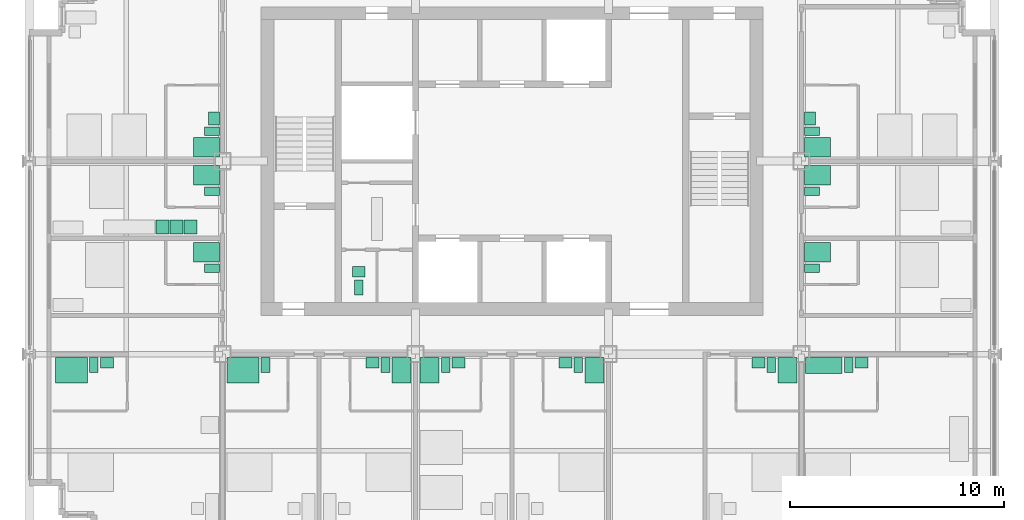
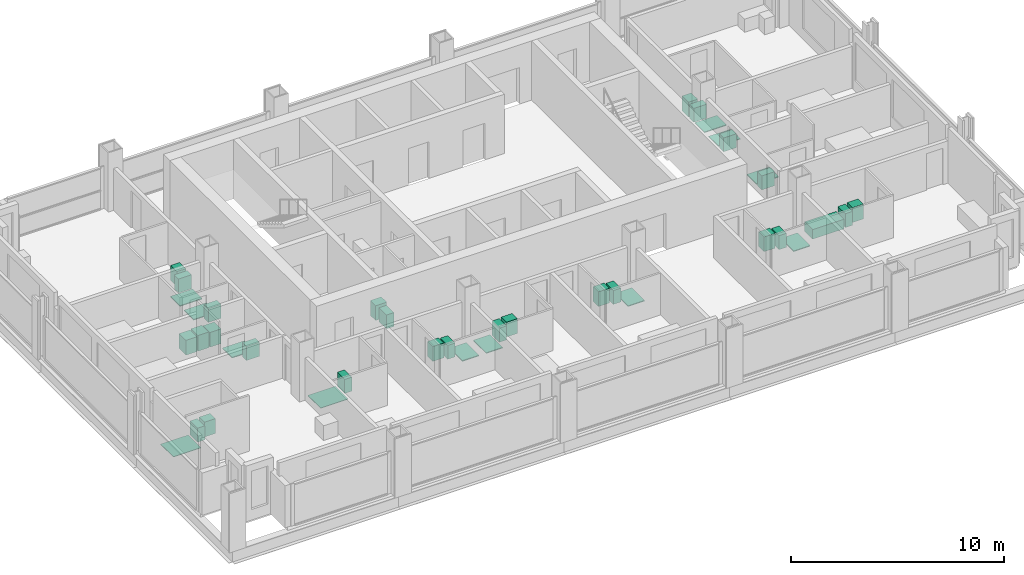
# One storey, part 13 of 14: 36 sanitary terminals, 3 electric appliances.
"""IFC4 building model written with IfcOpenShell, lengths in metres."""

from ifc_helpers import new_model, si_unit, direction, frame, origin, origin_2d, place, context, subcontext, project, spatial, rectangle, extrude, element, save


model = new_model("IFC4")

# Units and contexts
model_context = context("Model", 3, precision=1e-05, world=origin(), true_north=direction((0.0, 1.0)))
body_context = subcontext(model_context, "Body", "Model", "MODEL_VIEW")
ifc_project = project(units=[si_unit("LENGTHUNIT", "METRE"), si_unit("AREAUNIT", "SQUARE_METRE"), si_unit("VOLUMEUNIT", "CUBIC_METRE"), si_unit("PLANEANGLEUNIT", "RADIAN"), si_unit("MASSUNIT", "GRAM", prefix="KILO")], contexts=[model_context])

# Site, building, storey
site_placement = place(None, origin())
site = spatial("IfcSite", under=ifc_project, at=site_placement, CompositionType="ELEMENT")
building_placement = place(site_placement, origin())
building = spatial("IfcBuilding", under=site, at=building_placement, Name="Loomwork Tower", CompositionType="ELEMENT")
storey_placement = place(building_placement, frame((0.0, 0.0, 167.199951171875)))
storey = spatial("IfcBuildingStorey", under=building, at=storey_placement, Name="L45", CompositionType="ELEMENT", Elevation=167.199951171875)

# Sanitary terminals
sanitary_terminal_1_placement = place(storey_placement, frame((1.949951171875, 8.25, 0.0), z_axis=(0.0, 0.0, 1.0), x_axis=(1.0, 0.0, 0.0)))
element("IfcSanitaryTerminal", 1, at=sanitary_terminal_1_placement, inside=storey, Name="Roll-in shower floor L45", PredefinedType="SHOWER", context=body_context, shape_type="SweptSolid", body=[
    extrude(rectangle(XDim=1.5, YDim=1.199951171875, at=origin_2d()), origin(), (0.0, 0.0, 1.0), 0.030029296875),
])
sanitary_terminal_2_placement = place(storey_placement, frame((3.0, 8.5, 0.0), z_axis=(0.0, 0.0, 1.0), x_axis=(1.0, 0.0, 0.0)))
element("IfcSanitaryTerminal", 2, at=sanitary_terminal_2_placement, inside=storey, Name="WC L45", PredefinedType="TOILETPAN", context=body_context, shape_type="SweptSolid", body=[
    extrude(rectangle(XDim=0.39990234375, YDim=0.699951171875, at=origin_2d()), origin(), (0.0, 0.0, 1.0), 0.800048828125),
])
sanitary_terminal_3_placement = place(storey_placement, frame((3.60009765625, 8.60009765625, 0.0), z_axis=(0.0, 0.0, 1.0), x_axis=(1.0, 0.0, 0.0)))
element("IfcSanitaryTerminal", 3, at=sanitary_terminal_3_placement, inside=storey, Name="Basin vanity L45", PredefinedType="WASHHANDBASIN", context=body_context, shape_type="SweptSolid", body=[
    extrude(rectangle(XDim=0.60009765625, YDim=0.5, at=origin_2d()), origin(), (0.0, 0.0, 1.0), 0.85009765625),
])
sanitary_terminal_4_placement = place(storey_placement, frame((9.949951171875, 8.25, 0.0), z_axis=(0.0, 0.0, 1.0), x_axis=(1.0, 0.0, 0.0)))
element("IfcSanitaryTerminal", 4, at=sanitary_terminal_4_placement, inside=storey, Name="Roll-in shower floor L45", PredefinedType="SHOWER", context=body_context, shape_type="SweptSolid", body=[
    extrude(rectangle(XDim=1.5, YDim=1.199951171875, at=origin_2d()), origin(), (0.0, 0.0, 1.0), 0.030029296875),
])
sanitary_terminal_5_placement = place(storey_placement, frame((11.0, 8.5, 0.0), z_axis=(0.0, 0.0, 1.0), x_axis=(1.0, 0.0, 0.0)))
element("IfcSanitaryTerminal", 5, at=sanitary_terminal_5_placement, inside=storey, Name="WC L45", PredefinedType="TOILETPAN", context=body_context, shape_type="SweptSolid", body=[
    extrude(rectangle(XDim=0.39990234375, YDim=0.699951171875, at=origin_2d()), origin(), (0.0, 0.0, 1.0), 0.800048828125),
])
sanitary_terminal_6_placement = place(storey_placement, frame((17.35009765625, 8.25, 0.0), z_axis=(0.0, 0.0, 1.0), x_axis=(1.0, 0.0, 0.0)))
element("IfcSanitaryTerminal", 6, at=sanitary_terminal_6_placement, inside=storey, Name="Shower tray L45", PredefinedType="SHOWER", context=body_context, shape_type="SweptSolid", body=[
    extrude(rectangle(XDim=0.89990234375, YDim=1.199951171875, at=origin_2d()), origin(), (0.0, 0.0, 1.0), 0.050048828125),
])
sanitary_terminal_7_placement = place(storey_placement, frame((16.60009765625, 8.5, 0.0), z_axis=(0.0, 0.0, 1.0), x_axis=(1.0, 0.0, 0.0)))
element("IfcSanitaryTerminal", 7, at=sanitary_terminal_7_placement, inside=storey, Name="WC L45", PredefinedType="TOILETPAN", context=body_context, shape_type="SweptSolid", body=[
    extrude(rectangle(XDim=0.39990234375, YDim=0.699951171875, at=origin_2d()), origin(), (0.0, 0.0, 1.0), 0.800048828125),
])
sanitary_terminal_8_placement = place(storey_placement, frame((16.0, 8.60009765625, 0.0), z_axis=(0.0, 0.0, 1.0), x_axis=(1.0, 0.0, 0.0)))
element("IfcSanitaryTerminal", 8, at=sanitary_terminal_8_placement, inside=storey, Name="Basin vanity L45", PredefinedType="WASHHANDBASIN", context=body_context, shape_type="SweptSolid", body=[
    extrude(rectangle(XDim=0.60009765625, YDim=0.5, at=origin_2d()), origin(), (0.0, 0.0, 1.0), 0.85009765625),
])
sanitary_terminal_9_placement = place(storey_placement, frame((18.64990234375, 8.25, 0.0), z_axis=(0.0, 0.0, 1.0), x_axis=(1.0, 0.0, 0.0)))
element("IfcSanitaryTerminal", 9, at=sanitary_terminal_9_placement, inside=storey, Name="Shower tray L45", PredefinedType="SHOWER", context=body_context, shape_type="SweptSolid", body=[
    extrude(rectangle(XDim=0.89990234375, YDim=1.199951171875, at=origin_2d()), origin(), (0.0, 0.0, 1.0), 0.050048828125),
])
sanitary_terminal_10_placement = place(storey_placement, frame((19.39990234375, 8.5, 0.0), z_axis=(0.0, 0.0, 1.0), x_axis=(1.0, 0.0, 0.0)))
element("IfcSanitaryTerminal", 10, at=sanitary_terminal_10_placement, inside=storey, Name="WC L45", PredefinedType="TOILETPAN", context=body_context, shape_type="SweptSolid", body=[
    extrude(rectangle(XDim=0.39990234375, YDim=0.699951171875, at=origin_2d()), origin(), (0.0, 0.0, 1.0), 0.800048828125),
])
sanitary_terminal_11_placement = place(storey_placement, frame((20.0, 8.60009765625, 0.0), z_axis=(0.0, 0.0, 1.0), x_axis=(1.0, 0.0, 0.0)))
element("IfcSanitaryTerminal", 11, at=sanitary_terminal_11_placement, inside=storey, Name="Basin vanity L45", PredefinedType="WASHHANDBASIN", context=body_context, shape_type="SweptSolid", body=[
    extrude(rectangle(XDim=0.60009765625, YDim=0.5, at=origin_2d()), origin(), (0.0, 0.0, 1.0), 0.85009765625),
])
sanitary_terminal_12_placement = place(storey_placement, frame((26.35009765625, 8.25, 0.0), z_axis=(0.0, 0.0, 1.0), x_axis=(1.0, 0.0, 0.0)))
element("IfcSanitaryTerminal", 12, at=sanitary_terminal_12_placement, inside=storey, Name="Shower tray L45", PredefinedType="SHOWER", context=body_context, shape_type="SweptSolid", body=[
    extrude(rectangle(XDim=0.89990234375, YDim=1.199951171875, at=origin_2d()), origin(), (0.0, 0.0, 1.0), 0.050048828125),
])
sanitary_terminal_13_placement = place(storey_placement, frame((25.60009765625, 8.5, 0.0), z_axis=(0.0, 0.0, 1.0), x_axis=(1.0, 0.0, 0.0)))
element("IfcSanitaryTerminal", 13, at=sanitary_terminal_13_placement, inside=storey, Name="WC L45", PredefinedType="TOILETPAN", context=body_context, shape_type="SweptSolid", body=[
    extrude(rectangle(XDim=0.39990234375, YDim=0.699951171875, at=origin_2d()), origin(), (0.0, 0.0, 1.0), 0.800048828125),
])
sanitary_terminal_14_placement = place(storey_placement, frame((25.0, 8.60009765625, 0.0), z_axis=(0.0, 0.0, 1.0), x_axis=(1.0, 0.0, 0.0)))
element("IfcSanitaryTerminal", 14, at=sanitary_terminal_14_placement, inside=storey, Name="Basin vanity L45", PredefinedType="WASHHANDBASIN", context=body_context, shape_type="SweptSolid", body=[
    extrude(rectangle(XDim=0.60009765625, YDim=0.5, at=origin_2d()), origin(), (0.0, 0.0, 1.0), 0.85009765625),
])
sanitary_terminal_15_placement = place(storey_placement, frame((35.35009765625, 8.25, 0.0), z_axis=(0.0, 0.0, 1.0), x_axis=(1.0, 0.0, 0.0)))
element("IfcSanitaryTerminal", 15, at=sanitary_terminal_15_placement, inside=storey, Name="Shower tray L45", PredefinedType="SHOWER", context=body_context, shape_type="SweptSolid", body=[
    extrude(rectangle(XDim=0.89990234375, YDim=1.199951171875, at=origin_2d()), origin(), (0.0, 0.0, 1.0), 0.050048828125),
])
sanitary_terminal_16_placement = place(storey_placement, frame((34.60009765625, 8.5, 0.0), z_axis=(0.0, 0.0, 1.0), x_axis=(1.0, 0.0, 0.0)))
element("IfcSanitaryTerminal", 16, at=sanitary_terminal_16_placement, inside=storey, Name="WC L45", PredefinedType="TOILETPAN", context=body_context, shape_type="SweptSolid", body=[
    extrude(rectangle(XDim=0.39990234375, YDim=0.699951171875, at=origin_2d()), origin(), (0.0, 0.0, 1.0), 0.800048828125),
])
sanitary_terminal_17_placement = place(storey_placement, frame((34.0, 8.60009765625, 0.0), z_axis=(0.0, 0.0, 1.0), x_axis=(1.0, 0.0, 0.0)))
element("IfcSanitaryTerminal", 17, at=sanitary_terminal_17_placement, inside=storey, Name="Basin vanity L45", PredefinedType="WASHHANDBASIN", context=body_context, shape_type="SweptSolid", body=[
    extrude(rectangle(XDim=0.60009765625, YDim=0.5, at=origin_2d()), origin(), (0.0, 0.0, 1.0), 0.85009765625),
])
sanitary_terminal_18_placement = place(storey_placement, frame((37.050048828125, 8.47509765625, 0.0), z_axis=(0.0, 0.0, 1.0), x_axis=(1.0, 0.0, 0.0)))
element("IfcSanitaryTerminal", 18, at=sanitary_terminal_18_placement, inside=storey, Name="Bath L45", PredefinedType="BATH", context=body_context, shape_type="SweptSolid", body=[
    extrude(rectangle(XDim=1.699951171875, YDim=0.75, at=origin_2d()), origin(), (0.0, 0.0, 1.0), 0.550048828125),
])
sanitary_terminal_19_placement = place(storey_placement, frame((38.199951171875, 8.5, 0.0), z_axis=(0.0, 0.0, 1.0), x_axis=(1.0, 0.0, 0.0)))
element("IfcSanitaryTerminal", 19, at=sanitary_terminal_19_placement, inside=storey, Name="WC L45", PredefinedType="TOILETPAN", context=body_context, shape_type="SweptSolid", body=[
    extrude(rectangle(XDim=0.39990234375, YDim=0.699951171875, at=origin_2d()), origin(), (0.0, 0.0, 1.0), 0.800048828125),
])
sanitary_terminal_20_placement = place(storey_placement, frame((38.800048828125, 8.60009765625, 0.0), z_axis=(0.0, 0.0, 1.0), x_axis=(1.0, 0.0, 0.0)))
element("IfcSanitaryTerminal", 20, at=sanitary_terminal_20_placement, inside=storey, Name="Basin vanity L45", PredefinedType="WASHHANDBASIN", context=body_context, shape_type="SweptSolid", body=[
    extrude(rectangle(XDim=0.60009765625, YDim=0.5, at=origin_2d()), origin(), (0.0, 0.0, 1.0), 0.85009765625),
])
sanitary_terminal_21_placement = place(storey_placement, frame((8.25, 13.75, 0.0), z_axis=(0.0, 0.0, 1.0), x_axis=(1.0, 0.0, 0.0)))
element("IfcSanitaryTerminal", 21, at=sanitary_terminal_21_placement, inside=storey, Name="Shower tray L45", PredefinedType="SHOWER", context=body_context, shape_type="SweptSolid", body=[
    extrude(rectangle(XDim=1.199951171875, YDim=0.89990234375, at=origin_2d()), origin(), (0.0, 0.0, 1.0), 0.050048828125),
])
sanitary_terminal_22_placement = place(storey_placement, frame((8.5, 13.0, 0.0), z_axis=(0.0, 0.0, 1.0), x_axis=(1.0, 0.0, 0.0)))
element("IfcSanitaryTerminal", 22, at=sanitary_terminal_22_placement, inside=storey, Name="WC L45", PredefinedType="TOILETPAN", context=body_context, shape_type="SweptSolid", body=[
    extrude(rectangle(XDim=0.699951171875, YDim=0.39990234375, at=origin_2d()), origin(), (0.0, 0.0, 1.0), 0.800048828125),
])
sanitary_terminal_23_placement = place(storey_placement, frame((8.25, 17.35009765625, 0.0), z_axis=(0.0, 0.0, 1.0), x_axis=(1.0, 0.0, 0.0)))
element("IfcSanitaryTerminal", 23, at=sanitary_terminal_23_placement, inside=storey, Name="Shower tray L45", PredefinedType="SHOWER", context=body_context, shape_type="SweptSolid", body=[
    extrude(rectangle(XDim=1.199951171875, YDim=0.89990234375, at=origin_2d()), origin(), (0.0, 0.0, 1.0), 0.050048828125),
])
sanitary_terminal_24_placement = place(storey_placement, frame((8.5, 16.60009765625, 0.0), z_axis=(0.0, 0.0, 1.0), x_axis=(1.0, 0.0, 0.0)))
element("IfcSanitaryTerminal", 24, at=sanitary_terminal_24_placement, inside=storey, Name="WC L45", PredefinedType="TOILETPAN", context=body_context, shape_type="SweptSolid", body=[
    extrude(rectangle(XDim=0.699951171875, YDim=0.39990234375, at=origin_2d()), origin(), (0.0, 0.0, 1.0), 0.800048828125),
])

# Electric appliances
electric_appliance_1_placement = place(storey_placement, frame((7.5, 14.925048828125, 0.0), z_axis=(0.0, 0.0, 1.0), x_axis=(1.0, 0.0, 0.0)))
element("IfcElectricAppliance", 25, at=electric_appliance_1_placement, inside=storey, Name="Refrigerator L45", PredefinedType="REFRIGERATOR", context=body_context, shape_type="SweptSolid", body=[
    extrude(rectangle(XDim=0.60009765625, YDim=0.64990234375, at=origin_2d()), origin(), (0.0, 0.0, 1.0), 0.85009765625),
])
electric_appliance_2_placement = place(storey_placement, frame((6.85009765625, 14.925048828125, 0.0), z_axis=(0.0, 0.0, 1.0), x_axis=(1.0, 0.0, 0.0)))
element("IfcElectricAppliance", 26, at=electric_appliance_2_placement, inside=storey, Name="Two-ring cooktop and oven L45", PredefinedType="ELECTRICCOOKER", context=body_context, shape_type="SweptSolid", body=[
    extrude(rectangle(XDim=0.60009765625, YDim=0.64990234375, at=origin_2d()), origin(), (0.0, 0.0, 1.0), 0.89990234375),
])
electric_appliance_3_placement = place(storey_placement, frame((6.199951171875, 14.925048828125, 0.0), z_axis=(0.0, 0.0, 1.0), x_axis=(1.0, 0.0, 0.0)))
element("IfcElectricAppliance", 27, at=electric_appliance_3_placement, inside=storey, Name="Dishwasher L45", PredefinedType="DISHWASHER", context=body_context, shape_type="SweptSolid", body=[
    extrude(rectangle(XDim=0.60009765625, YDim=0.64990234375, at=origin_2d()), origin(), (0.0, 0.0, 1.0), 0.85009765625),
])

# Sanitary terminals
sanitary_terminal_25_placement = place(storey_placement, frame((8.25, 18.64990234375, 0.0), z_axis=(0.0, 0.0, 1.0), x_axis=(1.0, 0.0, 0.0)))
element("IfcSanitaryTerminal", 28, at=sanitary_terminal_25_placement, inside=storey, Name="Shower tray L45", PredefinedType="SHOWER", context=body_context, shape_type="SweptSolid", body=[
    extrude(rectangle(XDim=1.199951171875, YDim=0.89990234375, at=origin_2d()), origin(), (0.0, 0.0, 1.0), 0.050048828125),
])
sanitary_terminal_26_placement = place(storey_placement, frame((8.5, 19.39990234375, 0.0), z_axis=(0.0, 0.0, 1.0), x_axis=(1.0, 0.0, 0.0)))
element("IfcSanitaryTerminal", 29, at=sanitary_terminal_26_placement, inside=storey, Name="WC L45", PredefinedType="TOILETPAN", context=body_context, shape_type="SweptSolid", body=[
    extrude(rectangle(XDim=0.699951171875, YDim=0.39990234375, at=origin_2d()), origin(), (0.0, 0.0, 1.0), 0.800048828125),
])
sanitary_terminal_27_placement = place(storey_placement, frame((8.60009765625, 20.0, 0.0), z_axis=(0.0, 0.0, 1.0), x_axis=(1.0, 0.0, 0.0)))
element("IfcSanitaryTerminal", 30, at=sanitary_terminal_27_placement, inside=storey, Name="Basin vanity L45", PredefinedType="WASHHANDBASIN", context=body_context, shape_type="SweptSolid", body=[
    extrude(rectangle(XDim=0.5, YDim=0.60009765625, at=origin_2d()), origin(), (0.0, 0.0, 1.0), 0.85009765625),
])
sanitary_terminal_28_placement = place(storey_placement, frame((36.75, 13.75, 0.0), z_axis=(0.0, 0.0, 1.0), x_axis=(1.0, 0.0, 0.0)))
element("IfcSanitaryTerminal", 31, at=sanitary_terminal_28_placement, inside=storey, Name="Shower tray L45", PredefinedType="SHOWER", context=body_context, shape_type="SweptSolid", body=[
    extrude(rectangle(XDim=1.199951171875, YDim=0.89990234375, at=origin_2d()), origin(), (0.0, 0.0, 1.0), 0.050048828125),
])
sanitary_terminal_29_placement = place(storey_placement, frame((36.5, 13.0, 0.0), z_axis=(0.0, 0.0, 1.0), x_axis=(1.0, 0.0, 0.0)))
element("IfcSanitaryTerminal", 32, at=sanitary_terminal_29_placement, inside=storey, Name="WC L45", PredefinedType="TOILETPAN", context=body_context, shape_type="SweptSolid", body=[
    extrude(rectangle(XDim=0.699951171875, YDim=0.39990234375, at=origin_2d()), origin(), (0.0, 0.0, 1.0), 0.800048828125),
])
sanitary_terminal_30_placement = place(storey_placement, frame((36.75, 17.35009765625, 0.0), z_axis=(0.0, 0.0, 1.0), x_axis=(1.0, 0.0, 0.0)))
element("IfcSanitaryTerminal", 33, at=sanitary_terminal_30_placement, inside=storey, Name="Shower tray L45", PredefinedType="SHOWER", context=body_context, shape_type="SweptSolid", body=[
    extrude(rectangle(XDim=1.199951171875, YDim=0.89990234375, at=origin_2d()), origin(), (0.0, 0.0, 1.0), 0.050048828125),
])
sanitary_terminal_31_placement = place(storey_placement, frame((36.5, 16.60009765625, 0.0), z_axis=(0.0, 0.0, 1.0), x_axis=(1.0, 0.0, 0.0)))
element("IfcSanitaryTerminal", 34, at=sanitary_terminal_31_placement, inside=storey, Name="WC L45", PredefinedType="TOILETPAN", context=body_context, shape_type="SweptSolid", body=[
    extrude(rectangle(XDim=0.699951171875, YDim=0.39990234375, at=origin_2d()), origin(), (0.0, 0.0, 1.0), 0.800048828125),
])
sanitary_terminal_32_placement = place(storey_placement, frame((36.75, 18.64990234375, 0.0), z_axis=(0.0, 0.0, 1.0), x_axis=(1.0, 0.0, 0.0)))
element("IfcSanitaryTerminal", 35, at=sanitary_terminal_32_placement, inside=storey, Name="Shower tray L45", PredefinedType="SHOWER", context=body_context, shape_type="SweptSolid", body=[
    extrude(rectangle(XDim=1.199951171875, YDim=0.89990234375, at=origin_2d()), origin(), (0.0, 0.0, 1.0), 0.050048828125),
])
sanitary_terminal_33_placement = place(storey_placement, frame((36.5, 19.39990234375, 0.0), z_axis=(0.0, 0.0, 1.0), x_axis=(1.0, 0.0, 0.0)))
element("IfcSanitaryTerminal", 36, at=sanitary_terminal_33_placement, inside=storey, Name="WC L45", PredefinedType="TOILETPAN", context=body_context, shape_type="SweptSolid", body=[
    extrude(rectangle(XDim=0.699951171875, YDim=0.39990234375, at=origin_2d()), origin(), (0.0, 0.0, 1.0), 0.800048828125),
])
sanitary_terminal_34_placement = place(storey_placement, frame((36.39990234375, 20.0, 0.0), z_axis=(0.0, 0.0, 1.0), x_axis=(1.0, 0.0, 0.0)))
element("IfcSanitaryTerminal", 37, at=sanitary_terminal_34_placement, inside=storey, Name="Basin vanity L45", PredefinedType="WASHHANDBASIN", context=body_context, shape_type="SweptSolid", body=[
    extrude(rectangle(XDim=0.5, YDim=0.60009765625, at=origin_2d()), origin(), (0.0, 0.0, 1.0), 0.85009765625),
])
sanitary_terminal_35_placement = place(storey_placement, frame((15.35009765625, 12.10009765625, 0.0), z_axis=(0.0, 0.0, 1.0), x_axis=(1.0, 0.0, 0.0)))
element("IfcSanitaryTerminal", 38, at=sanitary_terminal_35_placement, inside=storey, Name="WC L45", PredefinedType="TOILETPAN", context=body_context, shape_type="SweptSolid", body=[
    extrude(rectangle(XDim=0.39990234375, YDim=0.699951171875, at=origin_2d()), origin(), (0.0, 0.0, 1.0), 0.800048828125),
])
sanitary_terminal_36_placement = place(storey_placement, frame((15.35009765625, 12.85009765625, 0.0), z_axis=(0.0, 0.0, 1.0), x_axis=(1.0, 0.0, 0.0)))
element("IfcSanitaryTerminal", 39, at=sanitary_terminal_36_placement, inside=storey, Name="Basin L45", PredefinedType="WASHHANDBASIN", context=body_context, shape_type="SweptSolid", body=[
    extrude(rectangle(XDim=0.60009765625, YDim=0.5, at=origin_2d()), origin(), (0.0, 0.0, 1.0), 0.85009765625),
])

save(model, "model.ifc")
